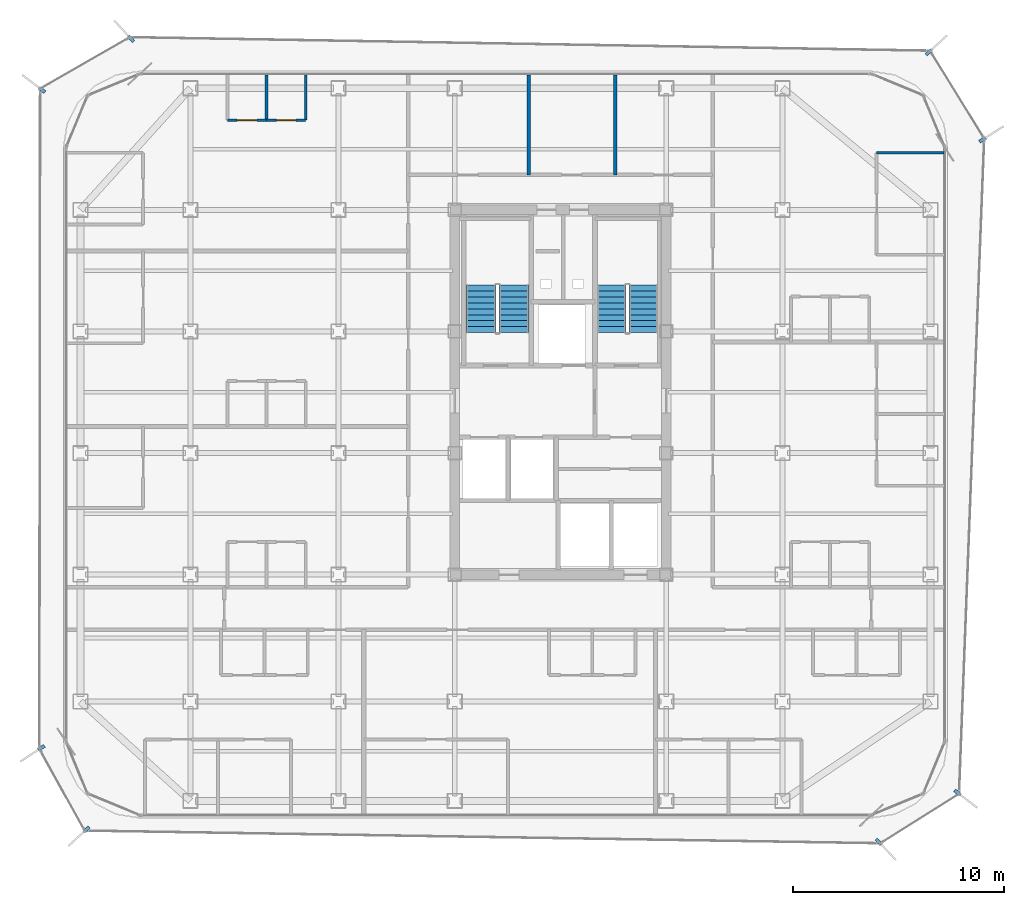
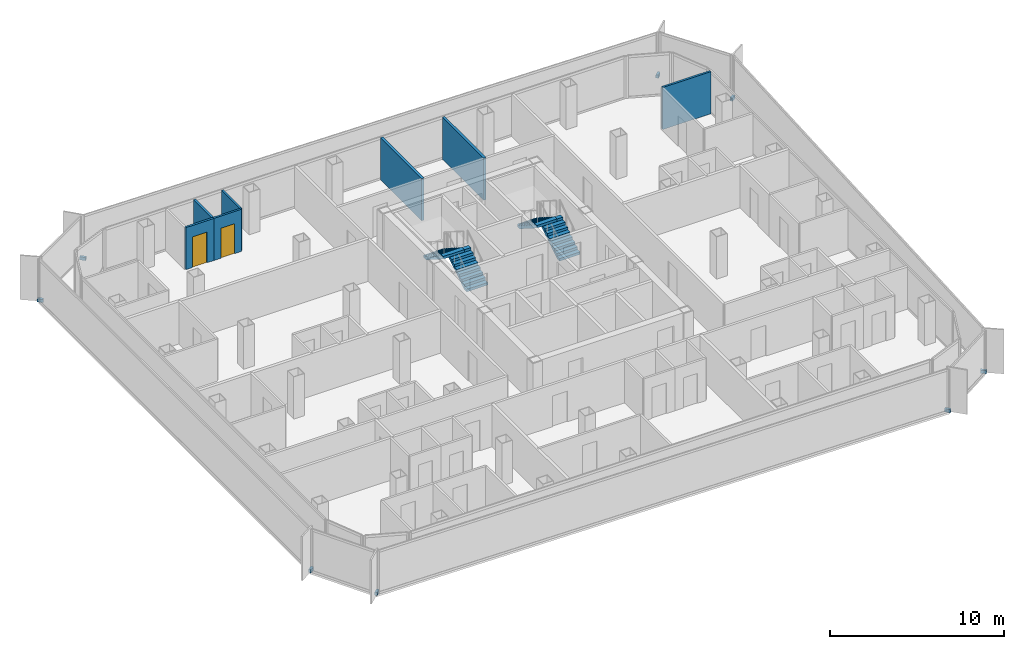
# One storey, part 13 of 16: 8 discrete accessories, 7 walls, 4 stair flights, 2 doors, 2 openings, 2 elements without a shape of their own.
"""IFC4 building model written with IfcOpenShell, lengths in metres."""

from ifc_helpers import new_model, si_unit, direction, frame, frame_2d, origin, origin_2d, place, context, subcontext, project, spatial, polyline, rectangle, outline, extrude, source, transform, mapped, material, layer, layer_set, type_object, element, fill, aggregate, save


model = new_model("IFC4")

# Units and contexts
model_context = context("Model", 3, precision=1e-05, world=origin(), true_north=direction((0.0, 1.0)))
body_context = subcontext(model_context, "Body", "Model", "MODEL_VIEW")
ifc_project = project(units=[si_unit("LENGTHUNIT", "METRE"), si_unit("AREAUNIT", "SQUARE_METRE"), si_unit("VOLUMEUNIT", "CUBIC_METRE"), si_unit("PLANEANGLEUNIT", "RADIAN"), si_unit("MASSUNIT", "GRAM", prefix="KILO")], contexts=[model_context])

# Site, building, storey
site_placement = place(None, origin())
site = spatial("IfcSite", under=ifc_project, at=site_placement, CompositionType="ELEMENT")
building_placement = place(site_placement, origin())
building = spatial("IfcBuilding", under=site, at=building_placement, Name="Kolveth Station Tower", CompositionType="ELEMENT")
storey_placement = place(building_placement, frame((0.0, 0.0, 156.10009765625)))
storey = spatial("IfcBuildingStorey", under=building, at=storey_placement, Name="L43", CompositionType="ELEMENT", Elevation=156.10009765625)

# Wall, opening, door
ifc_material_1 = material(Name="Moisture-resistant gypsum partition")
ifc_layer_1 = layer(ifc_material_1, 0.135009765625)
ifc_layer_set_1 = layer_set([ifc_layer_1], Name="Moisture-resistant gypsum partition")
wall_type_1 = type_object("IfcWallType", Name="Wall_IW-135", PredefinedType="PARTITIONING", material=ifc_layer_set_1)
wall_1_placement = place(storey_placement, frame((7.75, 32.989990234375, 0.0), z_axis=(0.0, 0.0, 1.0), x_axis=(1.0, 0.0, 0.0)))
wall_1 = element("IfcWall", 1, at=wall_1_placement, inside=storey, type_object=wall_type_1, Name="L43 Partition Wall WL-L43-W3-IBHK", PredefinedType="PARTITIONING", context=body_context, shape_type="SweptSolid", body=[
    extrude(rectangle(XDim=1.85009765625, YDim=0.135009765625, at=frame_2d((0.925048828125, 0.0))), origin(), (0.0, 0.0, 1.0), 2.949951171875),
])
opening_1_placement = place(wall_1_placement, frame((0.445068359375, 0.0, 0.0)))
opening_1 = element("IfcOpeningElement", 2, at=opening_1_placement, cuts=wall_1, Name="Opening ID1", PredefinedType="OPENING", context=body_context, shape_type="SweptSolid", body=[
    extrude(rectangle(XDim=0.949951171875, YDim=2.14990234375, at=frame_2d((0.47509765625, 1.074951171875))), frame((0.0, 0.077392578125, 0.0), z_axis=(0.0, -1.0, 0.0), x_axis=(1.0, 0.0, 0.0)), (0.0, 0.0, 1.0), 0.155029296875),
])
ifc_material_2 = material(Name="Acoustic hardwood leaf and aluminium frame", Category="wood")
door_type_1 = type_object("IfcDoorType", Name="Door_ID1", OperationType="NOTDEFINED", PredefinedType="DOOR", material=ifc_material_2)
door_1_placement = place(opening_1_placement, frame((0.949951171875, 0.0, 0.0), z_axis=(0.0, 0.0, 1.0), x_axis=(-1.0, 0.0, 0.0)))
door_1 = element("IfcDoor", 3, at=door_1_placement, inside=storey, type_object=door_type_1, Name="Penthouse Flat L43-W3 Kitchen Door", OperationType="SINGLE_SWING_LEFT", OverallHeight=2.14990234375, OverallWidth=0.949951171875, PredefinedType="DOOR", context=body_context, shape_type="SweptSolid", body=[
    extrude(rectangle(XDim=0.949951171875, YDim=2.14990234375, at=frame_2d((0.47509765625, 1.074951171875))), frame((0.0, 0.02490234375, 0.0), z_axis=(0.0, -1.0, 0.0), x_axis=(1.0, 0.0, 0.0)), (0.0, 0.0, 1.0), 0.050048828125),
])
fill(opening_1, door_1)

wall_2_placement = place(storey_placement, frame((9.60009765625, 32.989990234375, 0.0), z_axis=(0.0, 0.0, 1.0), x_axis=(1.0, 0.0, 0.0)))
wall_2 = element("IfcWall", 4, at=wall_2_placement, inside=storey, type_object=wall_type_1, Name="L43 Partition Wall WL-L43-W3-IBHB", PredefinedType="PARTITIONING", context=body_context, shape_type="SweptSolid", body=[
    extrude(rectangle(XDim=1.849853515625, YDim=0.135009765625, at=frame_2d((0.9248046875, 0.0))), origin(), (0.0, 0.0, 1.0), 2.949951171875),
])
opening_2_placement = place(wall_2_placement, frame((0.465087890625, 0.0, 0.0)))
opening_2 = element("IfcOpeningElement", 5, at=opening_2_placement, cuts=wall_2, Name="Opening ID2", PredefinedType="OPENING", context=body_context, shape_type="SweptSolid", body=[
    extrude(rectangle(XDim=0.919921875, YDim=2.10009765625, at=frame_2d((0.4599609375, 1.050048828125))), frame((0.0, 0.077392578125, 0.0), z_axis=(0.0, -1.0, 0.0), x_axis=(1.0, 0.0, 0.0)), (0.0, 0.0, 1.0), 0.155029296875),
])
ifc_material_3 = material(Name="Moisture-resistant hardwood leaf", Category="wood")
door_type_2 = type_object("IfcDoorType", Name="Door_ID2", OperationType="NOTDEFINED", PredefinedType="DOOR", material=ifc_material_3)
door_2_placement = place(opening_2_placement, frame((0.919921875, 0.0, 0.0), z_axis=(0.0, 0.0, 1.0), x_axis=(-1.0, 0.0, 0.0)))
door_2 = element("IfcDoor", 6, at=door_2_placement, inside=storey, type_object=door_type_2, Name="Penthouse Flat L43-W3 Bathroom Door", OperationType="SINGLE_SWING_LEFT", OverallHeight=2.10009765625, OverallWidth=0.919921875, PredefinedType="DOOR", context=body_context, shape_type="SweptSolid", body=[
    extrude(rectangle(XDim=0.919921875, YDim=2.10009765625, at=frame_2d((0.4599609375, 1.050048828125))), frame((0.0, 0.02490234375, 0.0), z_axis=(0.0, -1.0, 0.0), x_axis=(1.0, 0.0, 0.0)), (0.0, 0.0, 1.0), 0.050048828125),
])
fill(opening_2, door_2)

# Walls
for number, where, z_axis, x_axis, name in (
    (7, (9.60009765625, 32.989990234375, 0.0), (0.0, 0.0, 1.0), (0.0, 1.0, 0.0), "L43 Partition Wall WL-L43-W3-IBV1"),
    (8, (11.449951171875, 32.989990234375, 0.0), (0.0, 0.0, 1.0), (0.0, 1.0, 0.0), "L43 Partition Wall WL-L43-W3-IBV2"),
):
    element("IfcWall", number, at=place(storey_placement, frame(where, z_axis=z_axis, x_axis=x_axis)), inside=storey, type_object=wall_type_1, Name=name, PredefinedType="PARTITIONING", context=body_context, shape_type="SweptSolid", body=[
        extrude(rectangle(XDim=2.14990234375, YDim=0.135009765625, at=frame_2d((1.074951171875, 0.0))), origin(), (0.0, 0.0, 1.0), 2.949951171875),
    ])
wall_3_placement = place(storey_placement, frame((38.449951171875, 31.449951171875, 0.0), z_axis=(0.0, 0.0, 1.0), x_axis=(1.0, 0.0, 0.0)))
element("IfcWall", 9, at=wall_3_placement, inside=storey, type_object=wall_type_1, Name="L43 Partition Wall WL-L43-E2-BDHE", PredefinedType="PARTITIONING", context=body_context, shape_type="SweptSolid", body=[
    extrude(rectangle(XDim=3.18994140625, YDim=0.135009765625, at=frame_2d((1.594970703125, 0.0))), origin(), (0.0, 0.0, 1.0), 2.949951171875),
])
ifc_material_4 = material(Name="Acoustic double-stud gypsum partition")
ifc_layer_2 = layer(ifc_material_4, 0.1650390625)
ifc_layer_set_2 = layer_set([ifc_layer_2], Name="Acoustic double-stud gypsum partition")
wall_type_2 = type_object("IfcWallType", Name="Wall_IW-165", PredefinedType="PARTITIONING", material=ifc_layer_set_2)
for number, where, z_axis, x_axis, name in (
    (10, (22.0, 30.39990234375, 0.0), (0.0, 0.0, 1.0), (0.0, 1.0, 0.0), "L43 Partition Wall WL-L43-RN-P1"),
    (11, (26.10009765625, 30.39990234375, 0.0), (0.0, 0.0, 1.0), (0.0, 1.0, 0.0), "L43 Partition Wall WL-L43-RN-P2"),
):
    element("IfcWall", number, at=place(storey_placement, frame(where, z_axis=z_axis, x_axis=x_axis)), inside=storey, type_object=wall_type_2, Name=name, PredefinedType="PARTITIONING", context=body_context, shape_type="SweptSolid", body=[
        extrude(rectangle(XDim=4.739990234375, YDim=0.1650390625, at=frame_2d((2.3701171875, 0.0))), origin(), (0.0, 0.0, 1.0), 2.949951171875),
    ])

# Stair, stair flights
ifc_material_5 = material(Name="Concrete C40/50", Category="concrete")
stair_type_1 = type_object("IfcStairType", Name="Stair_ST1", PredefinedType="HALF_TURN_STAIR", material=ifc_material_5)
stair_1_placement = place(storey_placement, origin())
stair_1 = element("IfcStair", 12, at=stair_1_placement, inside=storey, type_object=stair_type_1, Name="L43 Tower Exit Stair ST1", PredefinedType="HALF_TURN_STAIR")
ifc_layer_3 = layer(ifc_material_5, 0.179931640625)
ifc_layer_set_3 = layer_set([ifc_layer_3], Name="Concrete C40/50")
stair_flight_type_1 = type_object("IfcStairFlightType", Name="Flight_ST1", PredefinedType="STRAIGHT", material=ifc_layer_set_3)
stair_flight_1_placement = place(storey_placement, frame((21.300048828125, 22.949951171875, 0.0), z_axis=(0.0, 0.0, 1.0), x_axis=(0.0, 1.0, 0.0)))
stair_flight_1 = element("IfcStairFlight", 13, at=stair_flight_1_placement, type_object=stair_flight_type_1, Name="ST1 flight 1", NumberOfRisers=9, NumberOfTreads=8, PredefinedType="STRAIGHT", RiserHeight=0.177777778, TreadLength=0.28, context=body_context, shape_type="SweptSolid", body=[
    extrude(outline(polyline([(0.0, 0.0), (0.0, 0.177734375), (0.280029296875, 0.177734375), (0.280029296875, 0.35546875), (0.56005859375, 0.35546875), (0.56005859375, 0.533447265625), (0.840087890625, 0.533447265625), (0.840087890625, 0.711181640625), (1.1201171875, 0.711181640625), (1.1201171875, 0.888916015625), (1.39990234375, 0.888916015625), (1.39990234375, 1.066650390625), (1.679931640625, 1.066650390625), (1.679931640625, 1.244384765625), (1.9599609375, 1.244384765625), (1.9599609375, 1.422119140625), (2.239990234375, 1.422119140625), (2.239990234375, 1.60009765625), (2.239990234375, 1.24462890625), (0.27978515625, 0.0), (0.0, 0.0)])), frame((0.0, 0.699951171875, 0.0), z_axis=(0.0, -1.0, 0.0), x_axis=(1.0, 0.0, 0.0)), (0.0, 0.0, 1.0), 1.39990234375),
])
stair_flight_2_placement = place(storey_placement, frame((19.739990234375, 25.18994140625, 1.599853515625), z_axis=(0.0, 0.0, 1.0), x_axis=(0.0, -1.0, 0.0)))
stair_flight_2 = element("IfcStairFlight", 14, at=stair_flight_2_placement, type_object=stair_flight_type_1, Name="ST1 flight 2", NumberOfRisers=9, NumberOfTreads=8, PredefinedType="STRAIGHT", RiserHeight=0.177777778, TreadLength=0.28, context=body_context, shape_type="SweptSolid", body=[
    extrude(outline(polyline([(0.0, 0.0), (0.0, 0.177734375), (0.280029296875, 0.177734375), (0.280029296875, 0.35546875), (0.56005859375, 0.35546875), (0.56005859375, 0.533447265625), (0.840087890625, 0.533447265625), (0.840087890625, 0.711181640625), (1.1201171875, 0.711181640625), (1.1201171875, 0.888916015625), (1.39990234375, 0.888916015625), (1.39990234375, 1.066650390625), (1.679931640625, 1.066650390625), (1.679931640625, 1.244384765625), (1.9599609375, 1.244384765625), (1.9599609375, 1.422119140625), (2.239990234375, 1.422119140625), (2.239990234375, 1.60009765625), (2.239990234375, 1.24462890625), (0.27978515625, 0.0), (0.0, 0.0)])), frame((0.0, 0.699951171875, 0.0), z_axis=(0.0, -1.0, 0.0), x_axis=(1.0, 0.0, 0.0)), (0.0, 0.0, 1.0), 1.39990234375),
])
aggregate(stair_1, [stair_flight_1, stair_flight_2])

stair_type_2 = type_object("IfcStairType", Name="Stair_ST2", PredefinedType="HALF_TURN_STAIR", material=ifc_material_5)
stair_2_placement = place(storey_placement, origin())
stair_2 = element("IfcStair", 15, at=stair_2_placement, inside=storey, type_object=stair_type_2, Name="L43 Tower Exit Stair ST2", PredefinedType="HALF_TURN_STAIR")
ifc_layer_4 = layer(ifc_material_5, 0.179931640625)
ifc_layer_set_4 = layer_set([ifc_layer_4], Name="Concrete C40/50")
stair_flight_type_2 = type_object("IfcStairFlightType", Name="Flight_ST2", PredefinedType="STRAIGHT", material=ifc_layer_set_4)
stair_flight_3_placement = place(storey_placement, frame((27.425048828125, 22.949951171875, 0.0), z_axis=(0.0, 0.0, 1.0), x_axis=(0.0, 1.0, 0.0)))
stair_flight_3 = element("IfcStairFlight", 16, at=stair_flight_3_placement, type_object=stair_flight_type_2, Name="ST2 flight 1", NumberOfRisers=9, NumberOfTreads=8, PredefinedType="STRAIGHT", RiserHeight=0.177777778, TreadLength=0.28, context=body_context, shape_type="SweptSolid", body=[
    extrude(outline(polyline([(0.0, 0.0), (0.0, 0.177734375), (0.280029296875, 0.177734375), (0.280029296875, 0.35546875), (0.56005859375, 0.35546875), (0.56005859375, 0.533447265625), (0.840087890625, 0.533447265625), (0.840087890625, 0.711181640625), (1.1201171875, 0.711181640625), (1.1201171875, 0.888916015625), (1.39990234375, 0.888916015625), (1.39990234375, 1.066650390625), (1.679931640625, 1.066650390625), (1.679931640625, 1.244384765625), (1.9599609375, 1.244384765625), (1.9599609375, 1.422119140625), (2.239990234375, 1.422119140625), (2.239990234375, 1.60009765625), (2.239990234375, 1.24462890625), (0.27978515625, 0.0), (0.0, 0.0)])), frame((0.0, 0.675048828125, 0.0), z_axis=(0.0, -1.0, 0.0), x_axis=(1.0, 0.0, 0.0)), (0.0, 0.0, 1.0), 1.35009765625),
])
stair_flight_4_placement = place(storey_placement, frame((25.9150390625, 25.18994140625, 1.599853515625), z_axis=(0.0, 0.0, 1.0), x_axis=(0.0, -1.0, 0.0)))
stair_flight_4 = element("IfcStairFlight", 17, at=stair_flight_4_placement, type_object=stair_flight_type_2, Name="ST2 flight 2", NumberOfRisers=9, NumberOfTreads=8, PredefinedType="STRAIGHT", RiserHeight=0.177777778, TreadLength=0.28, context=body_context, shape_type="SweptSolid", body=[
    extrude(outline(polyline([(0.0, 0.0), (0.0, 0.177734375), (0.280029296875, 0.177734375), (0.280029296875, 0.35546875), (0.56005859375, 0.35546875), (0.56005859375, 0.533447265625), (0.840087890625, 0.533447265625), (0.840087890625, 0.711181640625), (1.1201171875, 0.711181640625), (1.1201171875, 0.888916015625), (1.39990234375, 0.888916015625), (1.39990234375, 1.066650390625), (1.679931640625, 1.066650390625), (1.679931640625, 1.244384765625), (1.9599609375, 1.244384765625), (1.9599609375, 1.422119140625), (2.239990234375, 1.422119140625), (2.239990234375, 1.60009765625), (2.239990234375, 1.24462890625), (0.27978515625, 0.0), (0.0, 0.0)])), frame((0.0, 0.675048828125, 0.0), z_axis=(0.0, -1.0, 0.0), x_axis=(1.0, 0.0, 0.0)), (0.0, 0.0, 1.0), 1.35009765625),
])
aggregate(stair_2, [stair_flight_3, stair_flight_4])

# Discrete accessories
ifc_material_6 = material(Name="Steel S355", Category="steel")
discrete_accessory_type = type_object("IfcDiscreteAccessoryType", Name="Bracket_BK1", PredefinedType="BRACKET", material=ifc_material_6)
shared_shape = source(origin(), body_context, "Body", "SweptSolid", [
    extrude(rectangle(XDim=0.35009765625, YDim=0.159912109375, at=origin_2d()), origin(), (0.0, 0.0, 1.0), 0.219970703125),
])
for number, where, z_axis, x_axis, name in (
    (18, (38.555908203125, -1.138916015625, -0.06005859375), (0.0, 0.0, 1.0), (0.684801522272, -0.728729630997, 0.0), "L43 Double-Skin Radial Tie Bracket 1"),
    (19, (42.27587890625, 1.193115234375, -0.06005859375), (0.0, 0.0, 1.0), (0.792396121708, -0.61000687398, 0.0), "L43 Double-Skin Radial Tie Bracket 2"),
    (20, (43.4619140625, 32.068115234375, -0.06005859375), (0.0, 0.0, 1.0), (0.84264041216, 0.538476680827, 0.0), "L43 Double-Skin Radial Tie Bracket 3"),
    (21, (40.91796875, 36.201904296875, -0.06005859375), (0.0, 0.0, 1.0), (0.73349265005, 0.679697382902, 0.0), "L43 Double-Skin Radial Tie Bracket 4"),
    (22, (3.194091796875, 36.8359375, -0.06005859375), (0.0, 0.0, 1.0), (-0.678159669868, 0.73491459515, 0.0), "L43 Double-Skin Radial Tie Bracket 5"),
    (23, (-1.02099609375, 34.419921875, -0.06005859375), (0.0, 0.0, 1.0), (-0.794202557977, 0.607653105729, 0.0), "L43 Double-Skin Radial Tie Bracket 6"),
    (24, (-1.052978515625, 3.30810546875, -0.06005859375), (0.0, 0.0, 1.0), (-0.837146380758, -0.546978918409, 0.0), "L43 Double-Skin Radial Tie Bracket 7"),
    (25, (1.0849609375, -0.547119140625, -0.06005859375), (0.0, 0.0, 1.0), (-0.736569456271, -0.676361912062, 0.0), "L43 Double-Skin Radial Tie Bracket 8"),
):
    element("IfcDiscreteAccessory", number, at=place(storey_placement, frame(where, z_axis=z_axis, x_axis=x_axis)), inside=storey, type_object=discrete_accessory_type, Name=name, PredefinedType="BRACKET", context=body_context, shape_type="MappedRepresentation", body=[
        mapped(shared_shape, transform((0.0, 0.0, 0.0), x_axis=(1.0, 0.0, 0.0), y_axis=(0.0, 1.0, 0.0), z_axis=(0.0, 0.0, 1.0), scale=1.0)),
    ])

save(model, "model.ifc")
